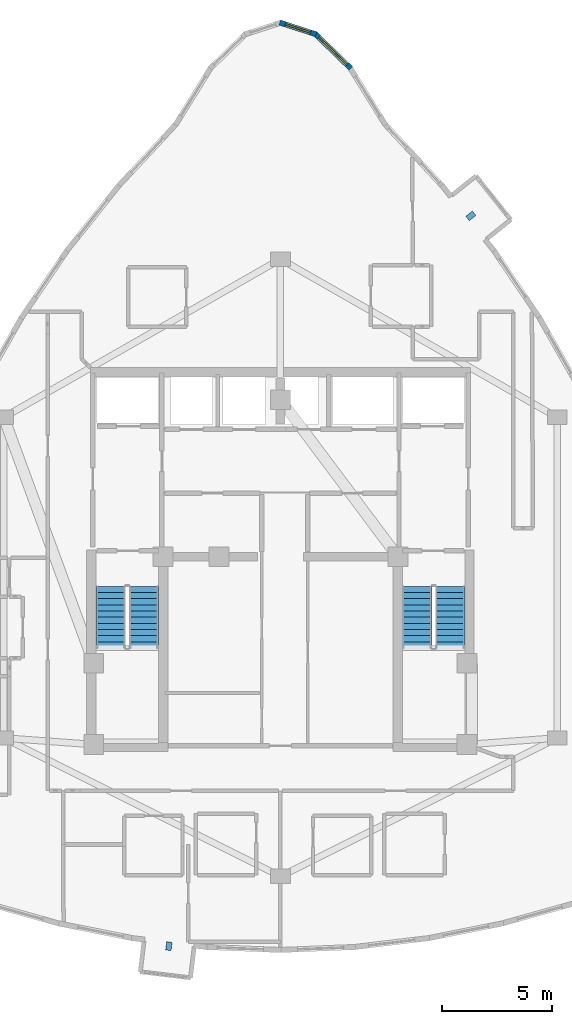
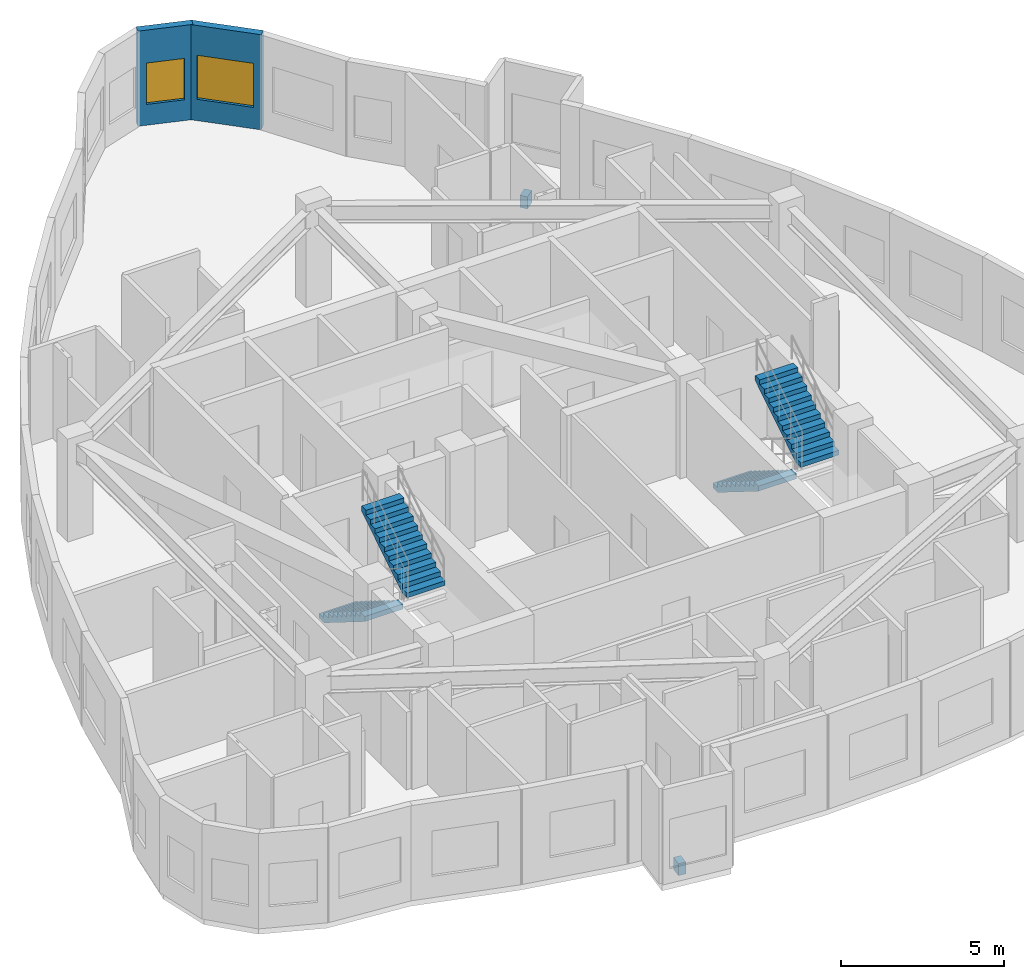
# One storey, part 12 of 13: 4 stair flights, 2 discrete accessories, 2 walls, 2 windows, 2 openings, 2 elements without a shape of their own.
"""IFC4 building model written with IfcOpenShell, lengths in metres."""

from ifc_helpers import new_model, si_unit, direction, frame, frame_2d, origin, origin_2d, place, context, subcontext, project, spatial, polyline, rectangle, outline, extrude, material, layer, layer_set, type_object, element, fill, aggregate, save


model = new_model("IFC4")

# Units and contexts
model_context = context("Model", 3, precision=1e-05, world=origin(), true_north=direction((0.0, 1.0)))
body_context = subcontext(model_context, "Body", "Model", "MODEL_VIEW")
ifc_project = project(units=[si_unit("LENGTHUNIT", "METRE"), si_unit("AREAUNIT", "SQUARE_METRE"), si_unit("VOLUMEUNIT", "CUBIC_METRE"), si_unit("PLANEANGLEUNIT", "RADIAN"), si_unit("MASSUNIT", "GRAM", prefix="KILO")], contexts=[model_context])

# Site, building, storey
site_placement = place(None, origin())
site = spatial("IfcSite", under=ifc_project, at=site_placement, CompositionType="ELEMENT")
building_placement = place(site_placement, origin())
building = spatial("IfcBuilding", under=site, at=building_placement, Name="Miruveldt Soraemaru", CompositionType="ELEMENT")
storey_placement = place(building_placement, frame((0.0, 0.0, 252.0)))
storey = spatial("IfcBuildingStorey", under=building, at=storey_placement, Name="L69", CompositionType="ELEMENT", Elevation=252.0)

# Wall, opening, window
ifc_material_1 = material(Name="Precast concrete C45/55 (45 MPa)", Category="concrete")
ifc_layer = layer(ifc_material_1, 0.239990234375, Name="Precast concrete C45/55 (45 MPa)", Category="concrete")
ifc_layer_set = layer_set([ifc_layer], Name="Precast concrete C45/55 (45 MPa)")
wall_type = type_object("IfcWallType", Name="WALL-EXT-PC240", PredefinedType="SOLIDWALL", material=ifc_layer_set)
wall_1_placement = place(storey_placement, frame((47.2041015625, 66.28662109375, 0.0), z_axis=(0.0, 0.0, 1.0), x_axis=(-0.717766041492, 0.696284359785, 0.0)))
wall_1 = element("IfcWall", 1, at=wall_1_placement, inside=storey, type_object=wall_type, Name="L69 Precast Concrete Facade Wall 2", PredefinedType="SOLIDWALL", context=body_context, shape_type="SweptSolid", body=[
    extrude(rectangle(XDim=2.284423828125, YDim=0.239990234375, at=frame_2d((1.14208984375, 0.0))), origin(), (0.0, 0.0, 1.0), 3.56494140625),
])
opening_1_placement = place(wall_1_placement, frame((0.241943359375, 0.0, 0.800048828125)))
opening_1 = element("IfcOpeningElement", 2, at=opening_1_placement, cuts=wall_1, Name="Opening WN-2", PredefinedType="OPENING", context=body_context, shape_type="SweptSolid", body=[
    extrude(rectangle(XDim=1.800048828125, YDim=1.64990234375, at=frame_2d((0.89990234375, 0.824951171875))), frame((0.0, 0.1298828125, 0.0), z_axis=(0.0, -1.0, 0.0), x_axis=(1.0, 0.0, 0.0)), (0.0, 0.0, 1.0), 0.260009765625),
])
ifc_material_2 = material(Name="Triple low-e insulated glazing", Category="glass")
window_type_1 = type_object("IfcWindowType", Name="WIN-PUNCH-1800x1650", PartitioningType="SINGLE_PANEL", PredefinedType="WINDOW", material=ifc_material_2)
window_1_placement = place(opening_1_placement, origin())
window_1 = element("IfcWindow", 3, at=window_1_placement, inside=storey, type_object=window_type_1, Name="L69 Punched Triple-Glazed Window 02.1", OverallHeight=1.64990234375, OverallWidth=1.800048828125, PartitioningType="SINGLE_PANEL", PredefinedType="WINDOW", context=body_context, shape_type="SweptSolid", body=[
    extrude(rectangle(XDim=1.800048828125, YDim=1.64990234375, at=frame_2d((0.89990234375, 0.824951171875))), frame((0.0, 0.030029296875, 0.0), z_axis=(0.0, -1.0, 0.0), x_axis=(1.0, 0.0, 0.0)), (0.0, 0.0, 1.0), 0.06005859375),
])
fill(opening_1, window_1)

wall_2_placement = place(storey_placement, frame((45.622802734375, 67.842041015625, 0.0), z_axis=(0.0, 0.0, 1.0), x_axis=(-0.951465057443, 0.307756794343, 0.0)))
wall_2 = element("IfcWall", 4, at=wall_2_placement, inside=storey, type_object=wall_type, Name="L69 Precast Concrete Facade Wall 3", PredefinedType="SOLIDWALL", context=body_context, shape_type="SweptSolid", body=[
    extrude(rectangle(XDim=1.740478515625, YDim=0.239990234375, at=frame_2d((0.8701171875, 0.0))), origin(), (0.0, 0.0, 1.0), 3.56494140625),
])
opening_2_placement = place(wall_2_placement, frame((0.27001953125, 0.0, 0.780029296875)))
opening_2 = element("IfcOpeningElement", 5, at=opening_2_placement, cuts=wall_2, Name="Opening WN-4", PredefinedType="OPENING", context=body_context, shape_type="SweptSolid", body=[
    extrude(rectangle(XDim=1.199951171875, YDim=1.550048828125, at=frame_2d((0.60009765625, 0.77490234375))), frame((0.0, 0.1298828125, 0.0), z_axis=(0.0, -1.0, 0.0), x_axis=(1.0, 0.0, 0.0)), (0.0, 0.0, 1.0), 0.260009765625),
])
window_type_2 = type_object("IfcWindowType", Name="WIN-PUNCH-1200x1550", PartitioningType="SINGLE_PANEL", PredefinedType="WINDOW", material=ifc_material_2)
window_2_placement = place(opening_2_placement, origin())
window_2 = element("IfcWindow", 6, at=window_2_placement, inside=storey, type_object=window_type_2, Name="L69 Punched Triple-Glazed Window 03.1", OverallHeight=1.550048828125, OverallWidth=1.199951171875, PartitioningType="SINGLE_PANEL", PredefinedType="WINDOW", context=body_context, shape_type="SweptSolid", body=[
    extrude(rectangle(XDim=1.199951171875, YDim=1.550048828125, at=frame_2d((0.60009765625, 0.77490234375))), frame((0.0, 0.030029296875, 0.0), z_axis=(0.0, -1.0, 0.0), x_axis=(1.0, 0.0, 0.0)), (0.0, 0.0, 1.0), 0.06005859375),
])
fill(opening_2, window_2)

# Stair, stair flights
ifc_material_3 = material(Name="Concrete C40/50 (40 MPa)", Category="concrete")
stair_type = type_object("IfcStairType", Name="STAIR-DL-385", PredefinedType="HALF_TURN_STAIR", material=ifc_material_3)
stair_1_placement = place(storey_placement, origin())
stair_1 = element("IfcStair", 7, at=stair_1_placement, inside=storey, type_object=stair_type, Name="L69 Protected Exit Stair ST-1", PredefinedType="HALF_TURN_STAIR")
stair_flight_type = type_object("IfcStairFlightType", Name="SFL-DL-385", PredefinedType="STRAIGHT", material=ifc_material_3)
stair_flight_1_placement = place(storey_placement, frame((36.27490234375, 42.699951171875, 0.0), z_axis=(0.0, 0.0, 1.0), x_axis=(0.0, -1.0, 0.0)))
stair_flight_1 = element("IfcStairFlight", 8, at=stair_flight_1_placement, type_object=stair_flight_type, Name="ST-1 flight 1", NumberOfRisers=11, NumberOfTreads=10, PredefinedType="STRAIGHT", RiserHeight=0.175, TreadLength=0.28, context=body_context, shape_type="SweptSolid", body=[
    extrude(outline(polyline([(0.0, 0.0), (0.0, 0.175048828125), (0.280029296875, 0.175048828125), (0.280029296875, 0.35009765625), (0.56005859375, 0.35009765625), (0.56005859375, 0.52490234375), (0.840087890625, 0.52490234375), (0.840087890625, 0.699951171875), (1.1201171875, 0.699951171875), (1.1201171875, 0.875), (1.39990234375, 0.875), (1.39990234375, 1.050048828125), (1.679931640625, 1.050048828125), (1.679931640625, 1.22509765625), (1.9599609375, 1.22509765625), (1.9599609375, 1.39990234375), (2.239990234375, 1.39990234375), (2.239990234375, 1.574951171875), (2.52001953125, 1.574951171875), (2.52001953125, 1.75), (2.800048828125, 1.75), (2.800048828125, 1.925048828125), (2.800048828125, 1.5615234375), (0.3017578125, 0.0), (0.0, 0.0)])), frame((0.0, 0.675048828125, 0.0), z_axis=(0.0, -1.0, 0.0), x_axis=(1.0, 0.0, 0.0)), (0.0, 0.0, 1.0), 1.35009765625),
])
stair_flight_2_placement = place(storey_placement, frame((37.77490234375, 39.89990234375, 1.925048828125), z_axis=(0.0, 0.0, 1.0), x_axis=(0.0, 1.0, 0.0)))
stair_flight_2 = element("IfcStairFlight", 9, at=stair_flight_2_placement, type_object=stair_flight_type, Name="ST-1 flight 2", NumberOfRisers=11, NumberOfTreads=10, PredefinedType="STRAIGHT", RiserHeight=0.175, TreadLength=0.28, context=body_context, shape_type="SweptSolid", body=[
    extrude(outline(polyline([(0.0, 0.0), (0.0, 0.175048828125), (0.280029296875, 0.175048828125), (0.280029296875, 0.35009765625), (0.56005859375, 0.35009765625), (0.56005859375, 0.52490234375), (0.840087890625, 0.52490234375), (0.840087890625, 0.699951171875), (1.1201171875, 0.699951171875), (1.1201171875, 0.875), (1.39990234375, 0.875), (1.39990234375, 1.050048828125), (1.679931640625, 1.050048828125), (1.679931640625, 1.22509765625), (1.9599609375, 1.22509765625), (1.9599609375, 1.39990234375), (2.239990234375, 1.39990234375), (2.239990234375, 1.574951171875), (2.52001953125, 1.574951171875), (2.52001953125, 1.75), (2.800048828125, 1.75), (2.800048828125, 1.925048828125), (2.800048828125, 1.5615234375), (0.3017578125, 0.0), (0.0, 0.0)])), frame((0.0, 0.675048828125, 0.0), z_axis=(0.0, -1.0, 0.0), x_axis=(1.0, 0.0, 0.0)), (0.0, 0.0, 1.0), 1.35009765625),
])
aggregate(stair_1, [stair_flight_1, stair_flight_2])

stair_2_placement = place(storey_placement, origin())
stair_2 = element("IfcStair", 10, at=stair_2_placement, inside=storey, type_object=stair_type, Name="L69 Protected Exit Stair ST-2", PredefinedType="HALF_TURN_STAIR")
stair_flight_3_placement = place(storey_placement, frame((50.22509765625, 42.699951171875, 0.0), z_axis=(0.0, 0.0, 1.0), x_axis=(0.0, -1.0, 0.0)))
stair_flight_3 = element("IfcStairFlight", 11, at=stair_flight_3_placement, type_object=stair_flight_type, Name="ST-2 flight 1", NumberOfRisers=11, NumberOfTreads=10, PredefinedType="STRAIGHT", RiserHeight=0.175, TreadLength=0.28, context=body_context, shape_type="SweptSolid", body=[
    extrude(outline(polyline([(0.0, 0.0), (0.0, 0.175048828125), (0.280029296875, 0.175048828125), (0.280029296875, 0.35009765625), (0.56005859375, 0.35009765625), (0.56005859375, 0.52490234375), (0.840087890625, 0.52490234375), (0.840087890625, 0.699951171875), (1.1201171875, 0.699951171875), (1.1201171875, 0.875), (1.39990234375, 0.875), (1.39990234375, 1.050048828125), (1.679931640625, 1.050048828125), (1.679931640625, 1.22509765625), (1.9599609375, 1.22509765625), (1.9599609375, 1.39990234375), (2.239990234375, 1.39990234375), (2.239990234375, 1.574951171875), (2.52001953125, 1.574951171875), (2.52001953125, 1.75), (2.800048828125, 1.75), (2.800048828125, 1.925048828125), (2.800048828125, 1.5615234375), (0.3017578125, 0.0), (0.0, 0.0)])), frame((0.0, 0.675048828125, 0.0), z_axis=(0.0, -1.0, 0.0), x_axis=(1.0, 0.0, 0.0)), (0.0, 0.0, 1.0), 1.35009765625),
])
stair_flight_4_placement = place(storey_placement, frame((51.72509765625, 39.89990234375, 1.925048828125), z_axis=(0.0, 0.0, 1.0), x_axis=(0.0, 1.0, 0.0)))
stair_flight_4 = element("IfcStairFlight", 12, at=stair_flight_4_placement, type_object=stair_flight_type, Name="ST-2 flight 2", NumberOfRisers=11, NumberOfTreads=10, PredefinedType="STRAIGHT", RiserHeight=0.175, TreadLength=0.28, context=body_context, shape_type="SweptSolid", body=[
    extrude(outline(polyline([(0.0, 0.0), (0.0, 0.175048828125), (0.280029296875, 0.175048828125), (0.280029296875, 0.35009765625), (0.56005859375, 0.35009765625), (0.56005859375, 0.52490234375), (0.840087890625, 0.52490234375), (0.840087890625, 0.699951171875), (1.1201171875, 0.699951171875), (1.1201171875, 0.875), (1.39990234375, 0.875), (1.39990234375, 1.050048828125), (1.679931640625, 1.050048828125), (1.679931640625, 1.22509765625), (1.9599609375, 1.22509765625), (1.9599609375, 1.39990234375), (2.239990234375, 1.39990234375), (2.239990234375, 1.574951171875), (2.52001953125, 1.574951171875), (2.52001953125, 1.75), (2.800048828125, 1.75), (2.800048828125, 1.925048828125), (2.800048828125, 1.5615234375), (0.3017578125, 0.0), (0.0, 0.0)])), frame((0.0, 0.675048828125, 0.0), z_axis=(0.0, -1.0, 0.0), x_axis=(1.0, 0.0, 0.0)), (0.0, 0.0, 1.0), 1.35009765625),
])
aggregate(stair_2, [stair_flight_3, stair_flight_4])

# Discrete accessories
ifc_material_4 = material(Name="Steel SM355 (355 MPa)", Category="steel")
discrete_accessory_type = type_object("IfcDiscreteAccessoryType", Name="ACC-BAY-BRK", PredefinedType="BRACKET", material=ifc_material_4)
for number, where, z_axis, x_axis, name in (
    (13, (38.918701171875, 26.32275390625, -0.72998046875), (0.0, 0.0, 1.0), (-0.119149147143, -0.992876367296, 0.0), "L69 Bay Window Cantilever Bracket 1"),
    (14, (52.668701171875, 59.572509765625, -0.72998046875), (0.0, 0.0, 1.0), (0.781738199863, 0.623606756598, 0.0), "L69 Bay Window Cantilever Bracket 2"),
):
    element("IfcDiscreteAccessory", number, at=place(storey_placement, frame(where, z_axis=z_axis, x_axis=x_axis)), inside=storey, type_object=discrete_accessory_type, Name=name, PredefinedType="BRACKET", context=body_context, shape_type="SweptSolid", body=[
        extrude(rectangle(XDim=0.3798828125, YDim=0.25, at=origin_2d()), origin(), (0.0, 0.0, 1.0), 0.449951171875),
    ])

save(model, "model.ifc")
